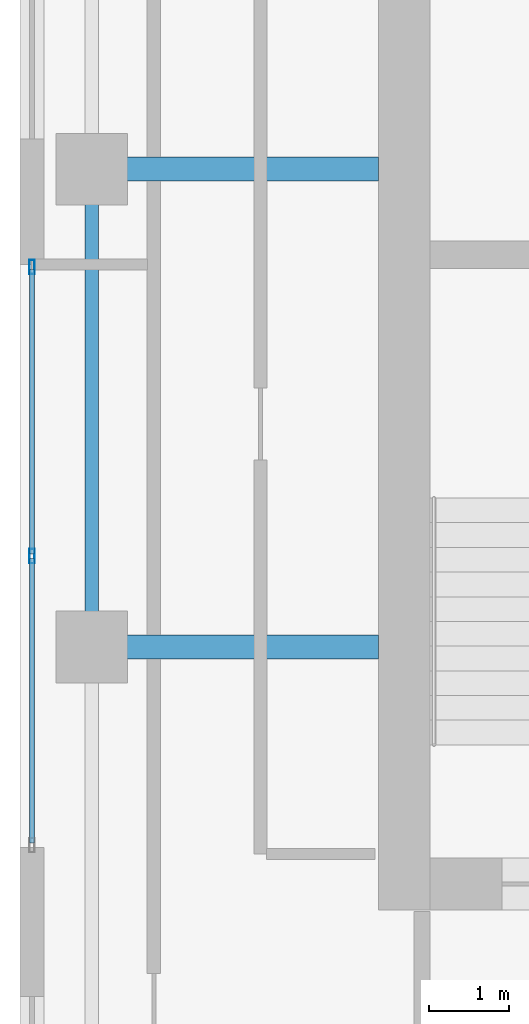
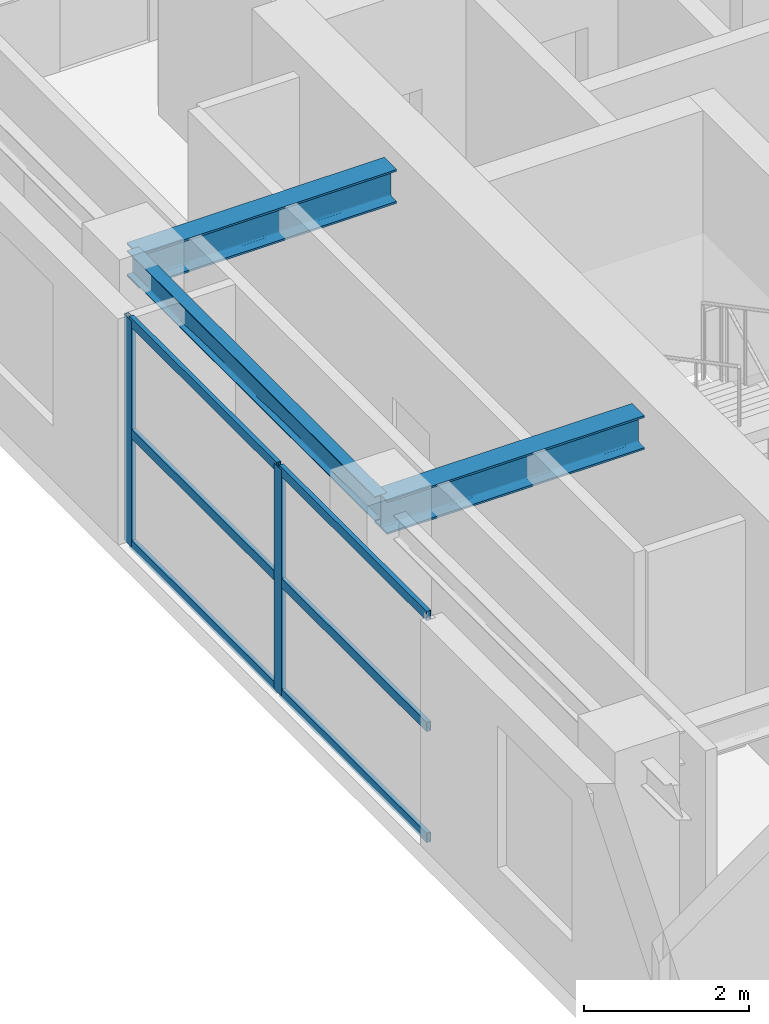
# One storey, part 7 of 20: 8 members, 3 beams, 1 element without a shape of its own.
"""IFC4 building model written with IfcOpenShell, lengths in metres."""

import ifcopenshell
import ifcopenshell.guid

model = None  # the IFC model being written
_history = None  # IfcOwnerHistory: only IFC2X3 demands one
_inside = {}  # id of a spatial element -> (the spatial element, [elements in it])
_under = {}  # id of a project, library or spatial element -> (it, [spatial elements below it])
_declared = {}  # id of a project -> (the project, [libraries it declares])
_typed = {}  # id of a type object -> (the type object, [elements of that type])
_made_of = {}  # id of a material, layer set ... -> (it, [elements and type objects made of it])


def new_model(schema):
    """Start an empty IFC model of exactly this schema.

    Asked for "IFC4X3", IfcOpenShell would pick the latest addendum, in which some entities
    have other attributes; the version numbers below select the first issue.
    IFC2X3 requires an IfcOwnerHistory on every rooted entity: one is made here for all.
    """
    global model, _history
    if schema == "IFC4X3":
        model = ifcopenshell.file(schema_version=(4, 3, 0, 0))
    else:
        model = ifcopenshell.file(schema=schema)
    _inside.clear()
    _under.clear()
    _declared.clear()
    _typed.clear()
    _made_of.clear()
    _history = None
    if model.schema == "IFC2X3":
        org = make("IfcOrganization", Name="unknown")
        user = make(
            "IfcPersonAndOrganization",
            ThePerson=make("IfcPerson", FamilyName="unknown"),
            TheOrganization=org,
        )
        app = make(
            "IfcApplication",
            ApplicationDeveloper=org,
            Version="unknown",
            ApplicationFullName="unknown",
            ApplicationIdentifier="unknown",
        )
        _history = make(
            "IfcOwnerHistory",
            OwningUser=user,
            OwningApplication=app,
            ChangeAction="ADDED",
            CreationDate=0,
        )
    return model


def make(cls, **values):
    """One entity of the class cls with the attributes given. An attribute that is None is left unset."""
    return model.create_entity(
        cls, **{name: value for name, value in values.items() if value is not None}
    )


def rooted(cls, **values):
    """An entity with a GlobalId (a new one), such as an element, a storey or a relation."""
    return make(cls, GlobalId=ifcopenshell.guid.new(), OwnerHistory=_history, **values)


def si_unit(unit_type, name, prefix=None):
    """IfcSIUnit, for example si_unit("LENGTHUNIT", "METRE", prefix="MILLI")."""
    return make("IfcSIUnit", UnitType=unit_type, Prefix=prefix, Name=name)


def assignment(units):
    """IfcUnitAssignment: the units of a project."""
    return None if units is None else make("IfcUnitAssignment", Units=units)


def point(xyz):
    """IfcCartesianPoint."""
    return None if xyz is None else make("IfcCartesianPoint", Coordinates=xyz)


def direction(xyz):
    """IfcDirection."""
    return None if xyz is None else make("IfcDirection", DirectionRatios=xyz)


def frame(location, z_axis=None, x_axis=None):
    """IfcAxis2Placement3D, a coordinate frame: its origin and axes. An axis left out is left unset."""
    return make(
        "IfcAxis2Placement3D",
        Location=point(location),
        Axis=direction(z_axis),
        RefDirection=direction(x_axis),
    )


def frame_2d(location, x_axis=None):
    """IfcAxis2Placement2D, a coordinate frame in the plane: its origin and x axis."""
    return make(
        "IfcAxis2Placement2D", Location=point(location), RefDirection=direction(x_axis)
    )


def origin():
    """The frame at (0, 0, 0) with its axes left unset."""
    return frame((0.0, 0.0, 0.0))


def origin_2d():
    """The frame at (0, 0) in the plane with its x axis left unset."""
    return frame_2d((0.0, 0.0))


def place(relative_to, where):
    """IfcLocalPlacement: puts the frame where relative to a parent placement (None: the world)."""
    return make(
        "IfcLocalPlacement", PlacementRelTo=relative_to, RelativePlacement=where
    )


def context(
    kind, dimensions, precision=None, world=None, true_north=None, identifier=None
):
    """IfcGeometricRepresentationContext, for example the 3D "Model" context."""
    return make(
        "IfcGeometricRepresentationContext",
        ContextIdentifier=identifier,
        ContextType=kind,
        CoordinateSpaceDimension=dimensions,
        Precision=precision,
        WorldCoordinateSystem=world,
        TrueNorth=true_north,
    )


def subcontext(parent, identifier, kind, view, scale=None):
    """IfcGeometricRepresentationSubContext, for example "Body" below "Model"."""
    return make(
        "IfcGeometricRepresentationSubContext",
        ContextIdentifier=identifier,
        ContextType=kind,
        ParentContext=parent,
        TargetScale=scale,
        TargetView=view,
    )


def project(units=None, contexts=None):
    """IfcProject with its units and contexts."""
    return rooted(
        "IfcProject",
        Name="project",
        RepresentationContexts=contexts,
        UnitsInContext=assignment(units),
    )


def spatial(cls, under=None, at=None, **own):
    """A site, building, storey or space (cls), placed at a placement, below another one or the project."""
    s = rooted(cls, ObjectPlacement=at, **own)
    if under is not None:
        _under.setdefault(under.id(), (under, []))[1].append(s)
    return s


def profile(cls, at=None, kind="AREA", **sizes):
    """A parametric profile (cls). Its sizes go by their IFC names, for example OverallWidth=200.0."""
    return make(cls, ProfileType=kind, Position=at, **sizes)


def hollow_rectangle(**sizes):
    """IfcRectangleHollowProfileDef."""
    return profile("IfcRectangleHollowProfileDef", **sizes)


def i_section(**sizes):
    """IfcIShapeProfileDef."""
    return profile("IfcIShapeProfileDef", **sizes)


def extrude(swept, where, along, depth):
    """IfcExtrudedAreaSolid: the profile swept, set in the frame where, extruded along a direction by depth."""
    return make(
        "IfcExtrudedAreaSolid",
        SweptArea=swept,
        Position=where,
        ExtrudedDirection=direction(along),
        Depth=depth,
    )


def shape(context_of_items, identifier, shape_type, items):
    """IfcShapeRepresentation: the items that make up one representation, for example the "Body"."""
    return make(
        "IfcShapeRepresentation",
        ContextOfItems=context_of_items,
        RepresentationIdentifier=identifier,
        RepresentationType=shape_type,
        Items=items,
    )


def source(mapping_origin, context_of_items, identifier, shape_type, items):
    """IfcRepresentationMap: a shape defined once, which mapped items show again and again."""
    return make(
        "IfcRepresentationMap",
        MappingOrigin=mapping_origin,
        MappedRepresentation=shape(context_of_items, identifier, shape_type, items),
    )


def transform(
    local_origin,
    x_axis=None,
    y_axis=None,
    z_axis=None,
    scale=None,
    scale2=None,
    scale3=None,
    uniform=True,
):
    """IfcCartesianTransformationOperator3D, or its non-uniform kind. x_axis, y_axis, z_axis: its Axis1, 2, 3."""
    if uniform:
        return make(
            "IfcCartesianTransformationOperator3D",
            Axis1=direction(x_axis),
            Axis2=direction(y_axis),
            LocalOrigin=point(local_origin),
            Scale=scale,
            Axis3=direction(z_axis),
        )
    return make(
        "IfcCartesianTransformationOperator3DnonUniform",
        Axis1=direction(x_axis),
        Axis2=direction(y_axis),
        LocalOrigin=point(local_origin),
        Scale=scale,
        Axis3=direction(z_axis),
        Scale2=scale2,
        Scale3=scale3,
    )


def mapped(mapping_source, mapping_target):
    """IfcMappedItem: shows the shape of a source again, moved by a transform."""
    return make(
        "IfcMappedItem", MappingSource=mapping_source, MappingTarget=mapping_target
    )


def material(Name=None, Category=None):
    """IfcMaterial."""
    return make("IfcMaterial", Name=Name, Category=Category)


def layer(
    of_material, thickness, ventilated=None, Name=None, Category=None, Priority=None
):
    """IfcMaterialLayer: one layer of a wall or slab, of a material (None: an air gap)."""
    return make(
        "IfcMaterialLayer",
        Material=of_material,
        LayerThickness=thickness,
        IsVentilated=ventilated,
        Name=Name,
        Category=Category,
        Priority=Priority,
    )


def layer_set(layers, Name=None):
    """IfcMaterialLayerSet."""
    return make("IfcMaterialLayerSet", MaterialLayers=layers, LayerSetName=Name)


def material_profile(
    of_material, cross_section, Name=None, Category=None, Priority=None
):
    """IfcMaterialProfile: a cross section and its material."""
    return make(
        "IfcMaterialProfile",
        Name=Name,
        Material=of_material,
        Profile=cross_section,
        Priority=Priority,
        Category=Category,
    )


def profile_set(profiles, Name=None, composite=None):
    """IfcMaterialProfileSet."""
    return make(
        "IfcMaterialProfileSet",
        Name=Name,
        MaterialProfiles=profiles,
        CompositeProfile=composite,
    )


def made_of(thing, what):
    """Note that an element or type object is made of a material, layer set ...; save() writes the relation."""
    if what is not None:
        _made_of.setdefault(what.id(), (what, []))[1].append(thing)
    return thing


def type_object(cls, material=None, **own):
    """A type object (cls), such as IfcWallType, which elements share."""
    return made_of(rooted(cls, **own), material)


def element(
    cls,
    number,
    at=None,
    inside=None,
    cuts=None,
    type_object=None,
    material=None,
    context=None,
    identifier="Body",
    shape_type=None,
    held_by="IfcProductDefinitionShape",
    body=None,
    shapes=None,
    **own,
):
    """One element of the class cls, such as IfcWall. Its Tag is "e" and its number.

    at: its placement. inside: the storey or other place that contains it. cuts: it is an
    opening in that element (IfcRelVoidsElement). A single representation is given by context,
    identifier, shape_type and body (its items); several are given by shapes. held_by: the class
    of the entity that holds the representations. save() writes the other relations.
    """
    e = rooted(cls, Tag="e%d" % number, ObjectPlacement=at, **own)
    if body is not None:
        shapes = [shape(context, identifier, shape_type, body)]
    if shapes is not None:
        e.Representation = make(held_by, Representations=shapes)
    if inside is not None:
        _inside.setdefault(inside.id(), (inside, []))[1].append(e)
    if cuts is not None:
        rooted(
            "IfcRelVoidsElement", RelatingBuildingElement=cuts, RelatedOpeningElement=e
        )
    if type_object is not None:
        _typed.setdefault(type_object.id(), (type_object, []))[1].append(e)
    return made_of(e, material)


def aggregate(whole, parts):
    """IfcRelAggregates: a whole, such as a stair, and the parts it consists of."""
    return rooted("IfcRelAggregates", RelatingObject=whole, RelatedObjects=parts)


def save(model, path):
    """Write the relations noted so far, then the file.

    IfcRelAggregates (storeys below a building ...), IfcRelContainedInSpatialStructure (elements
    in a storey), IfcRelDefinesByType, IfcRelAssociatesMaterial and IfcRelDeclares: one each for
    every whole, place, type object, material and project.
    """
    for whole, parts in _under.values():
        aggregate(whole, parts)
    for where, things in _inside.values():
        rooted(
            "IfcRelContainedInSpatialStructure",
            RelatedElements=things,
            RelatingStructure=where,
        )
    for kind, things in _typed.values():
        rooted("IfcRelDefinesByType", RelatedObjects=things, RelatingType=kind)
    for what, things in _made_of.values():
        rooted("IfcRelAssociatesMaterial", RelatedObjects=things, RelatingMaterial=what)
    for by, libraries in _declared.values():
        rooted("IfcRelDeclares", RelatingContext=by, RelatedDefinitions=libraries)
    model.write(path)


model = new_model("IFC4")

# Units and contexts
model_context = context("Model", 3, precision=1e-05, world=origin(), true_north=direction((0.0, 1.0)))
body_context = subcontext(model_context, "Body", "Model", "MODEL_VIEW")
ifc_project = project(units=[si_unit("LENGTHUNIT", "METRE"), si_unit("AREAUNIT", "SQUARE_METRE"), si_unit("VOLUMEUNIT", "CUBIC_METRE"), si_unit("PLANEANGLEUNIT", "RADIAN"), si_unit("MASSUNIT", "GRAM", prefix="KILO")], contexts=[model_context])

# Site, building, storey
site_placement = place(None, origin())
site = spatial("IfcSite", under=ifc_project, at=site_placement, CompositionType="ELEMENT")
building_placement = place(site_placement, origin())
building = spatial("IfcBuilding", under=site, at=building_placement, Name="Khoralis Quay Care Tower", CompositionType="ELEMENT")
storey_placement = place(building_placement, frame((0.0, 0.0, 198.89990234375)))
storey = spatial("IfcBuildingStorey", under=building, at=storey_placement, Name="L52", CompositionType="ELEMENT", Elevation=198.89990234375)

# Beams
ifc_material_1 = material(Name="Steel S355", Category="steel")
ifc_material_profile_1 = material_profile(ifc_material_1, i_section(OverallWidth=0.169921875, OverallDepth=0.360107421875, WebThickness=0.008056640625, FlangeThickness=0.0126953125, FilletRadius=0.01806640625, at=origin_2d()), Name="Steel S355")
ifc_profile_set_1 = profile_set([ifc_material_profile_1], Name="Steel S355")
beam_type_1 = type_object("IfcBeamType", Name="BM-IPE360", PredefinedType="SPANDREL", material=ifc_profile_set_1)
shared_shape_1 = source(origin(), body_context, "Body", "SweptSolid", [
    extrude(i_section(OverallWidth=0.169921875, OverallDepth=0.360107421875, WebThickness=0.008056640625, FlangeThickness=0.0126953125, FilletRadius=0.01806640625, at=origin_2d()), origin(), (0.0, 0.0, 1.0), 6.0),
])
beam_placement = place(storey_placement, frame((3.89990234375, 18.0, 3.16015625), z_axis=(0.0, 1.0, 0.0), x_axis=(-1.0, 0.0, 0.0)))
element("IfcBeam", 1, at=beam_placement, inside=storey, type_object=beam_type_1, Name="BM-TSP-L52-07", PredefinedType="SPANDREL", context=body_context, shape_type="MappedRepresentation", body=[
    mapped(shared_shape_1, transform((0.0, 0.0, 0.0), scale=1.0)),
])
ifc_material_profile_2 = material_profile(ifc_material_1, i_section(OverallWidth=0.300048828125, OverallDepth=0.5, WebThickness=0.014404296875, FlangeThickness=0.028076171875, FilletRadius=0.027099609375, at=origin_2d()), Name="Steel S355")
ifc_profile_set_2 = profile_set([ifc_material_profile_2], Name="Steel S355")
beam_type_2 = type_object("IfcBeamType", Name="BM-HEB500", PredefinedType="BEAM", material=ifc_profile_set_2)
shared_shape_2 = source(origin(), body_context, "Body", "SweptSolid", [
    extrude(i_section(OverallWidth=0.300048828125, OverallDepth=0.5, WebThickness=0.014404296875, FlangeThickness=0.028076171875, FilletRadius=0.027099609375, at=origin_2d()), origin(), (0.0, 0.0, 1.0), 3.60205078125),
])
for number, where, z_axis, x_axis, name in (
    (2, (3.89990234375, 18.0, 3.090087890625), (1.0, 0.0, 0.0), (0.0, 1.0, 0.0), "BM-TGXW-L52-180"),
    (3, (3.89990234375, 24.0, 3.090087890625), (1.0, 0.0, 0.0), (0.0, 1.0, 0.0), "BM-TGXW-L52-240"),
):
    element("IfcBeam", number, at=place(storey_placement, frame(where, z_axis=z_axis, x_axis=x_axis)), inside=storey, type_object=beam_type_2, Name=name, PredefinedType="BEAM", context=body_context, shape_type="MappedRepresentation", body=[
        mapped(shared_shape_2, transform((0.0, 0.0, 0.0), scale=1.0)),
    ])

# Curtain wall, members
ifc_material_2 = material(Name="Pale anodised aluminium", Category="aluminium")
ifc_layer = layer(ifc_material_2, 0.159912109375)
ifc_layer_set = layer_set([ifc_layer], Name="Pale anodised aluminium")
curtain_wall_type = type_object("IfcCurtainWallType", Name="CW-SYS-Z3", PredefinedType="NOTDEFINED", material=ifc_layer_set)
curtain_wall_placement = place(storey_placement, origin())
curtain_wall = element("IfcCurtainWall", 4, at=curtain_wall_placement, inside=storey, type_object=curtain_wall_type, Name="L52 Unitised Curtain Wall CW-L52-P1-E7", PredefinedType="NOTDEFINED")
ifc_material_profile_3 = material_profile(ifc_material_2, hollow_rectangle(XDim=0.06494140625, YDim=0.179931640625, WallThickness=0.00390625, at=origin_2d()), Name="Pale anodised aluminium")
ifc_profile_set_3 = profile_set([ifc_material_profile_3], Name="Pale anodised aluminium")
member_type_1 = type_object("IfcMemberType", Name="CW-MUL-180", PredefinedType="MULLION", material=ifc_profile_set_3)
shared_shape_3 = source(origin(), body_context, "Body", "SweptSolid", [
    extrude(hollow_rectangle(XDim=0.06494140625, YDim=0.179931640625, WallThickness=0.00390625, at=origin_2d()), origin(), (0.0, 0.0, 1.0), 3.340087890625),
])
member_1_placement = place(storey_placement, frame((3.14990234375, 22.77001953125, 0.0), z_axis=(0.0, 0.0, 1.0), x_axis=(1.0, 0.0, 0.0)))
member_1 = element("IfcMember", 5, at=member_1_placement, type_object=member_type_1, Name="CW3 mullion 1", PredefinedType="MULLION", context=body_context, shape_type="MappedRepresentation", body=[
    mapped(shared_shape_3, transform((0.0, 0.0, 0.0), scale=1.0)),
])
member_2_placement = place(storey_placement, frame((3.14990234375, 19.139892578125, 0.0), z_axis=(0.0, 0.0, 1.0), x_axis=(1.0, 0.0, 0.0)))
member_2 = element("IfcMember", 6, at=member_2_placement, type_object=member_type_1, Name="CW3 mullion 2", PredefinedType="MULLION", context=body_context, shape_type="MappedRepresentation", body=[
    mapped(shared_shape_3, transform((0.0, 0.0, 0.0), scale=1.0)),
])
ifc_material_profile_4 = material_profile(ifc_material_2, hollow_rectangle(XDim=0.06005859375, YDim=0.139892578125, WallThickness=0.00390625, at=origin_2d()), Name="Pale anodised aluminium")
ifc_profile_set_4 = profile_set([ifc_material_profile_4], Name="Pale anodised aluminium")
member_type_2 = type_object("IfcMemberType", Name="CW-TRN-140", PredefinedType="USERDEFINED", material=ifc_profile_set_4)
shared_shape_4 = source(origin(), body_context, "Body", "SweptSolid", [
    extrude(hollow_rectangle(XDim=0.06005859375, YDim=0.139892578125, WallThickness=0.00390625, at=origin_2d()), origin(), (0.0, 0.0, 1.0), 3.570068359375),
])
member_3_placement = place(storey_placement, frame((3.14990234375, 22.739990234375, 0.030029296875), z_axis=(0.0, -1.0, 0.0), x_axis=(1.0, 0.0, 0.0)))
member_3 = element("IfcMember", 7, at=member_3_placement, type_object=member_type_2, Name="CW3 transom 1.1", ObjectType="TRANSOM", PredefinedType="USERDEFINED", context=body_context, shape_type="MappedRepresentation", body=[
    mapped(shared_shape_4, transform((0.0, 0.0, 0.0), scale=1.0)),
])
member_4_placement = place(storey_placement, frame((3.14990234375, 22.739990234375, 1.670166015625), z_axis=(0.0, -1.0, 0.0), x_axis=(1.0, 0.0, 0.0)))
member_4 = element("IfcMember", 8, at=member_4_placement, type_object=member_type_2, Name="CW3 transom 1.2", ObjectType="TRANSOM", PredefinedType="USERDEFINED", context=body_context, shape_type="MappedRepresentation", body=[
    mapped(shared_shape_4, transform((0.0, 0.0, 0.0), scale=1.0)),
])
member_5_placement = place(storey_placement, frame((3.14990234375, 22.739990234375, 3.31005859375), z_axis=(0.0, -1.0, 0.0), x_axis=(1.0, 0.0, 0.0)))
member_5 = element("IfcMember", 9, at=member_5_placement, type_object=member_type_2, Name="CW3 transom 1.3", ObjectType="TRANSOM", PredefinedType="USERDEFINED", context=body_context, shape_type="MappedRepresentation", body=[
    mapped(shared_shape_4, transform((0.0, 0.0, 0.0), scale=1.0)),
])
member_6_placement = place(storey_placement, frame((3.14990234375, 19.110107421875, 0.030029296875), z_axis=(0.0, -1.0, 0.0), x_axis=(1.0, 0.0, 0.0)))
member_6 = element("IfcMember", 10, at=member_6_placement, type_object=member_type_2, Name="CW3 transom 2.1", ObjectType="TRANSOM", PredefinedType="USERDEFINED", context=body_context, shape_type="MappedRepresentation", body=[
    mapped(shared_shape_4, transform((0.0, 0.0, 0.0), scale=1.0)),
])
member_7_placement = place(storey_placement, frame((3.14990234375, 19.110107421875, 1.670166015625), z_axis=(0.0, -1.0, 0.0), x_axis=(1.0, 0.0, 0.0)))
member_7 = element("IfcMember", 11, at=member_7_placement, type_object=member_type_2, Name="CW3 transom 2.2", ObjectType="TRANSOM", PredefinedType="USERDEFINED", context=body_context, shape_type="MappedRepresentation", body=[
    mapped(shared_shape_4, transform((0.0, 0.0, 0.0), scale=1.0)),
])
member_8_placement = place(storey_placement, frame((3.14990234375, 19.110107421875, 3.31005859375), z_axis=(0.0, -1.0, 0.0), x_axis=(1.0, 0.0, 0.0)))
member_8 = element("IfcMember", 12, at=member_8_placement, type_object=member_type_2, Name="CW3 transom 2.3", ObjectType="TRANSOM", PredefinedType="USERDEFINED", context=body_context, shape_type="MappedRepresentation", body=[
    mapped(shared_shape_4, transform((0.0, 0.0, 0.0), scale=1.0)),
])
aggregate(curtain_wall, [member_1, member_2, member_3, member_4, member_5, member_6, member_7, member_8])

save(model, "model.ifc")
